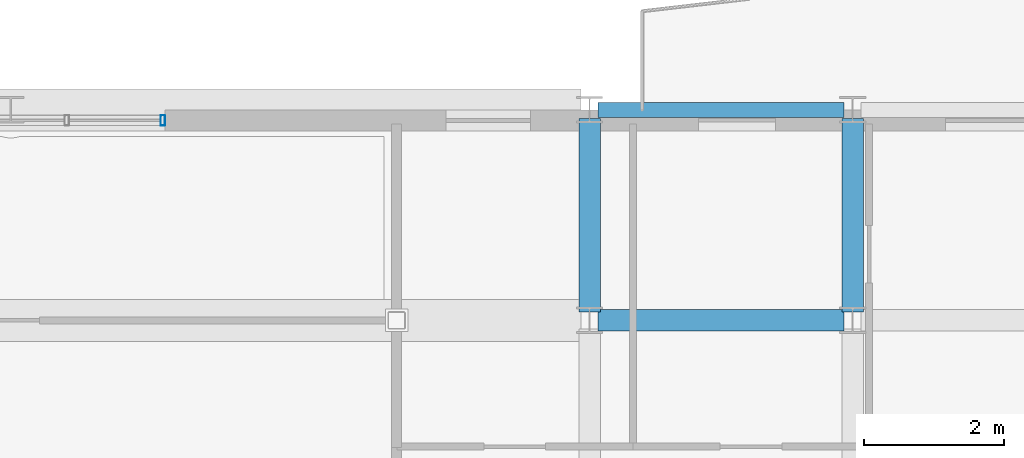
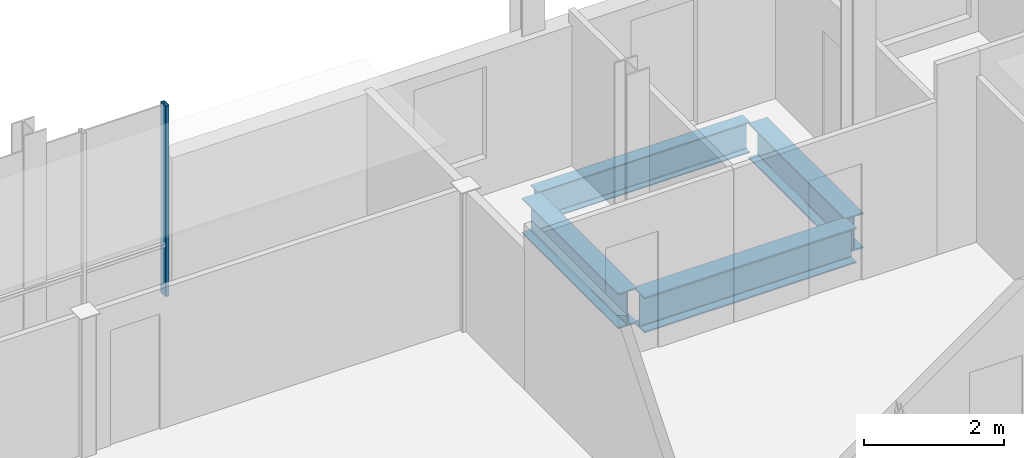
# One storey, part 16 of 35: 4 beams, 1 member, 1 element without a shape of its own.
"""IFC4 building model written with IfcOpenShell, lengths in metres."""

import ifcopenshell
import ifcopenshell.guid

model = None  # the IFC model being written
_history = None  # IfcOwnerHistory: only IFC2X3 demands one
_inside = {}  # id of a spatial element -> (the spatial element, [elements in it])
_under = {}  # id of a project, library or spatial element -> (it, [spatial elements below it])
_declared = {}  # id of a project -> (the project, [libraries it declares])
_typed = {}  # id of a type object -> (the type object, [elements of that type])
_made_of = {}  # id of a material, layer set ... -> (it, [elements and type objects made of it])


def new_model(schema):
    """Start an empty IFC model of exactly this schema.

    Asked for "IFC4X3", IfcOpenShell would pick the latest addendum, in which some entities
    have other attributes; the version numbers below select the first issue.
    IFC2X3 requires an IfcOwnerHistory on every rooted entity: one is made here for all.
    """
    global model, _history
    if schema == "IFC4X3":
        model = ifcopenshell.file(schema_version=(4, 3, 0, 0))
    else:
        model = ifcopenshell.file(schema=schema)
    _inside.clear()
    _under.clear()
    _declared.clear()
    _typed.clear()
    _made_of.clear()
    _history = None
    if model.schema == "IFC2X3":
        org = make("IfcOrganization", Name="unknown")
        user = make(
            "IfcPersonAndOrganization",
            ThePerson=make("IfcPerson", FamilyName="unknown"),
            TheOrganization=org,
        )
        app = make(
            "IfcApplication",
            ApplicationDeveloper=org,
            Version="unknown",
            ApplicationFullName="unknown",
            ApplicationIdentifier="unknown",
        )
        _history = make(
            "IfcOwnerHistory",
            OwningUser=user,
            OwningApplication=app,
            ChangeAction="ADDED",
            CreationDate=0,
        )
    return model


def make(cls, **values):
    """One entity of the class cls with the attributes given. An attribute that is None is left unset."""
    return model.create_entity(
        cls, **{name: value for name, value in values.items() if value is not None}
    )


def rooted(cls, **values):
    """An entity with a GlobalId (a new one), such as an element, a storey or a relation."""
    return make(cls, GlobalId=ifcopenshell.guid.new(), OwnerHistory=_history, **values)


def si_unit(unit_type, name, prefix=None):
    """IfcSIUnit, for example si_unit("LENGTHUNIT", "METRE", prefix="MILLI")."""
    return make("IfcSIUnit", UnitType=unit_type, Prefix=prefix, Name=name)


def assignment(units):
    """IfcUnitAssignment: the units of a project."""
    return None if units is None else make("IfcUnitAssignment", Units=units)


def point(xyz):
    """IfcCartesianPoint."""
    return None if xyz is None else make("IfcCartesianPoint", Coordinates=xyz)


def direction(xyz):
    """IfcDirection."""
    return None if xyz is None else make("IfcDirection", DirectionRatios=xyz)


def frame(location, z_axis=None, x_axis=None):
    """IfcAxis2Placement3D, a coordinate frame: its origin and axes. An axis left out is left unset."""
    return make(
        "IfcAxis2Placement3D",
        Location=point(location),
        Axis=direction(z_axis),
        RefDirection=direction(x_axis),
    )


def frame_2d(location, x_axis=None):
    """IfcAxis2Placement2D, a coordinate frame in the plane: its origin and x axis."""
    return make(
        "IfcAxis2Placement2D", Location=point(location), RefDirection=direction(x_axis)
    )


def origin():
    """The frame at (0, 0, 0) with its axes left unset."""
    return frame((0.0, 0.0, 0.0))


def origin_2d():
    """The frame at (0, 0) in the plane with its x axis left unset."""
    return frame_2d((0.0, 0.0))


def place(relative_to, where):
    """IfcLocalPlacement: puts the frame where relative to a parent placement (None: the world)."""
    return make(
        "IfcLocalPlacement", PlacementRelTo=relative_to, RelativePlacement=where
    )


def context(
    kind, dimensions, precision=None, world=None, true_north=None, identifier=None
):
    """IfcGeometricRepresentationContext, for example the 3D "Model" context."""
    return make(
        "IfcGeometricRepresentationContext",
        ContextIdentifier=identifier,
        ContextType=kind,
        CoordinateSpaceDimension=dimensions,
        Precision=precision,
        WorldCoordinateSystem=world,
        TrueNorth=true_north,
    )


def subcontext(parent, identifier, kind, view, scale=None):
    """IfcGeometricRepresentationSubContext, for example "Body" below "Model"."""
    return make(
        "IfcGeometricRepresentationSubContext",
        ContextIdentifier=identifier,
        ContextType=kind,
        ParentContext=parent,
        TargetScale=scale,
        TargetView=view,
    )


def project(units=None, contexts=None):
    """IfcProject with its units and contexts."""
    return rooted(
        "IfcProject",
        Name="project",
        RepresentationContexts=contexts,
        UnitsInContext=assignment(units),
    )


def spatial(cls, under=None, at=None, **own):
    """A site, building, storey or space (cls), placed at a placement, below another one or the project."""
    s = rooted(cls, ObjectPlacement=at, **own)
    if under is not None:
        _under.setdefault(under.id(), (under, []))[1].append(s)
    return s


def profile(cls, at=None, kind="AREA", **sizes):
    """A parametric profile (cls). Its sizes go by their IFC names, for example OverallWidth=200.0."""
    return make(cls, ProfileType=kind, Position=at, **sizes)


def hollow_rectangle(**sizes):
    """IfcRectangleHollowProfileDef."""
    return profile("IfcRectangleHollowProfileDef", **sizes)


def i_section(**sizes):
    """IfcIShapeProfileDef."""
    return profile("IfcIShapeProfileDef", **sizes)


def extrude(swept, where, along, depth):
    """IfcExtrudedAreaSolid: the profile swept, set in the frame where, extruded along a direction by depth."""
    return make(
        "IfcExtrudedAreaSolid",
        SweptArea=swept,
        Position=where,
        ExtrudedDirection=direction(along),
        Depth=depth,
    )


def shape(context_of_items, identifier, shape_type, items):
    """IfcShapeRepresentation: the items that make up one representation, for example the "Body"."""
    return make(
        "IfcShapeRepresentation",
        ContextOfItems=context_of_items,
        RepresentationIdentifier=identifier,
        RepresentationType=shape_type,
        Items=items,
    )


def material(Name=None, Category=None):
    """IfcMaterial."""
    return make("IfcMaterial", Name=Name, Category=Category)


def layer(
    of_material, thickness, ventilated=None, Name=None, Category=None, Priority=None
):
    """IfcMaterialLayer: one layer of a wall or slab, of a material (None: an air gap)."""
    return make(
        "IfcMaterialLayer",
        Material=of_material,
        LayerThickness=thickness,
        IsVentilated=ventilated,
        Name=Name,
        Category=Category,
        Priority=Priority,
    )


def layer_set(layers, Name=None):
    """IfcMaterialLayerSet."""
    return make("IfcMaterialLayerSet", MaterialLayers=layers, LayerSetName=Name)


def material_profile(
    of_material, cross_section, Name=None, Category=None, Priority=None
):
    """IfcMaterialProfile: a cross section and its material."""
    return make(
        "IfcMaterialProfile",
        Name=Name,
        Material=of_material,
        Profile=cross_section,
        Priority=Priority,
        Category=Category,
    )


def profile_set(profiles, Name=None, composite=None):
    """IfcMaterialProfileSet."""
    return make(
        "IfcMaterialProfileSet",
        Name=Name,
        MaterialProfiles=profiles,
        CompositeProfile=composite,
    )


def made_of(thing, what):
    """Note that an element or type object is made of a material, layer set ...; save() writes the relation."""
    if what is not None:
        _made_of.setdefault(what.id(), (what, []))[1].append(thing)
    return thing


def type_object(cls, material=None, **own):
    """A type object (cls), such as IfcWallType, which elements share."""
    return made_of(rooted(cls, **own), material)


def element(
    cls,
    number,
    at=None,
    inside=None,
    cuts=None,
    type_object=None,
    material=None,
    context=None,
    identifier="Body",
    shape_type=None,
    held_by="IfcProductDefinitionShape",
    body=None,
    shapes=None,
    **own,
):
    """One element of the class cls, such as IfcWall. Its Tag is "e" and its number.

    at: its placement. inside: the storey or other place that contains it. cuts: it is an
    opening in that element (IfcRelVoidsElement). A single representation is given by context,
    identifier, shape_type and body (its items); several are given by shapes. held_by: the class
    of the entity that holds the representations. save() writes the other relations.
    """
    e = rooted(cls, Tag="e%d" % number, ObjectPlacement=at, **own)
    if body is not None:
        shapes = [shape(context, identifier, shape_type, body)]
    if shapes is not None:
        e.Representation = make(held_by, Representations=shapes)
    if inside is not None:
        _inside.setdefault(inside.id(), (inside, []))[1].append(e)
    if cuts is not None:
        rooted(
            "IfcRelVoidsElement", RelatingBuildingElement=cuts, RelatedOpeningElement=e
        )
    if type_object is not None:
        _typed.setdefault(type_object.id(), (type_object, []))[1].append(e)
    return made_of(e, material)


def aggregate(whole, parts):
    """IfcRelAggregates: a whole, such as a stair, and the parts it consists of."""
    return rooted("IfcRelAggregates", RelatingObject=whole, RelatedObjects=parts)


def save(model, path):
    """Write the relations noted so far, then the file.

    IfcRelAggregates (storeys below a building ...), IfcRelContainedInSpatialStructure (elements
    in a storey), IfcRelDefinesByType, IfcRelAssociatesMaterial and IfcRelDeclares: one each for
    every whole, place, type object, material and project.
    """
    for whole, parts in _under.values():
        aggregate(whole, parts)
    for where, things in _inside.values():
        rooted(
            "IfcRelContainedInSpatialStructure",
            RelatedElements=things,
            RelatingStructure=where,
        )
    for kind, things in _typed.values():
        rooted("IfcRelDefinesByType", RelatedObjects=things, RelatingType=kind)
    for what, things in _made_of.values():
        rooted("IfcRelAssociatesMaterial", RelatedObjects=things, RelatingMaterial=what)
    for by, libraries in _declared.values():
        rooted("IfcRelDeclares", RelatingContext=by, RelatedDefinitions=libraries)
    model.write(path)


model = new_model("IFC4")

# Units and contexts
model_context = context("Model", 3, precision=1e-05, world=origin(), true_north=direction((0.0, 1.0)))
body_context = subcontext(model_context, "Body", "Model", "MODEL_VIEW")
ifc_project = project(units=[si_unit("LENGTHUNIT", "METRE"), si_unit("AREAUNIT", "SQUARE_METRE"), si_unit("VOLUMEUNIT", "CUBIC_METRE"), si_unit("PLANEANGLEUNIT", "RADIAN"), si_unit("MASSUNIT", "GRAM", prefix="KILO")], contexts=[model_context])

# Site, building, storey
site_placement = place(None, origin())
site = spatial("IfcSite", under=ifc_project, at=site_placement, CompositionType="ELEMENT")
building_placement = place(site_placement, origin())
building = spatial("IfcBuilding", under=site, at=building_placement, Name="Brevholm Reach", CompositionType="ELEMENT")
storey_placement = place(building_placement, frame((0.0, 0.0, 214.39990234375)))
storey = spatial("IfcBuildingStorey", under=building, at=storey_placement, Name="L65", CompositionType="ELEMENT", Elevation=214.39990234375)

# Beams
ifc_material_1 = material(Name="Structural Steel S355J2", Category="steel")
ifc_material_profile_1 = material_profile(ifc_material_1, i_section(OverallWidth=0.210693359375, OverallDepth=0.53955078125, WebThickness=0.01171875, FlangeThickness=0.018798828125, FilletRadius=0.0126953125, at=origin_2d()), Name="UKB 533x210x109")
ifc_profile_set_1 = profile_set([ifc_material_profile_1], Name="Structural Steel S355J2")
beam_type_1 = type_object("IfcBeamType", Name="BM-SP539", PredefinedType="SPANDREL", material=ifc_profile_set_1)
beam_1_placement = place(storey_placement, frame((38.3701171875, 26.5, -0.689697265625), z_axis=(1.0, 0.0, 0.0), x_axis=(0.0, 1.0, 0.0)))
element("IfcBeam", 1, at=beam_1_placement, inside=storey, type_object=beam_type_1, Name="L65 SP-01B Framing Beam", PredefinedType="SPANDREL", context=body_context, shape_type="SweptSolid", body=[
    extrude(i_section(OverallWidth=0.210693359375, OverallDepth=0.53955078125, WebThickness=0.01171875, FlangeThickness=0.018798828125, FilletRadius=0.0126953125, at=origin_2d()), origin(), (0.0, 0.0, 1.0), 3.509765625),
])
ifc_material_2 = material(Name="Structural Steel S355J2", Category="steel")
ifc_material_profile_2 = material_profile(ifc_material_2, i_section(OverallWidth=0.30712890625, OverallDepth=0.6201171875, WebThickness=0.01416015625, FlangeThickness=0.023681640625, FilletRadius=0.0166015625, at=origin_2d()), Name="UKB 610x305x179")
ifc_profile_set_2 = profile_set([ifc_material_profile_2], Name="Structural Steel S355J2")
beam_type_2 = type_object("IfcBeamType", Name="BM-UKB610H", PredefinedType="USERDEFINED", material=ifc_profile_set_2)
beam_2_placement = place(storey_placement, frame((38.3701171875, 23.5, -0.72998046875), z_axis=(1.0, 0.0, 0.0), x_axis=(0.0, 1.0, 0.0)))
element("IfcBeam", 2, at=beam_2_placement, inside=storey, type_object=beam_type_2, Name="L65 G-06 Framing Beam", ObjectType="GIRDER", PredefinedType="USERDEFINED", context=body_context, shape_type="SweptSolid", body=[
    extrude(i_section(OverallWidth=0.30712890625, OverallDepth=0.6201171875, WebThickness=0.01416015625, FlangeThickness=0.023681640625, FilletRadius=0.0166015625, at=origin_2d()), origin(), (0.0, 0.0, 1.0), 3.509765625),
])
for number, where, z_axis, x_axis, name in (
    (3, (38.25, 23.6201171875, -0.72998046875), (0.0, 1.0, 0.0), (-1.0, 0.0, 0.0), "L65 G-06 Framing Beam"),
    (4, (42.0, 23.6201171875, -0.72998046875), (0.0, 1.0, 0.0), (-1.0, 0.0, 0.0), "L65 G-06 Framing Beam"),
):
    element("IfcBeam", number, at=place(storey_placement, frame(where, z_axis=z_axis, x_axis=x_axis)), inside=storey, type_object=beam_type_2, Name=name, ObjectType="GIRDER", PredefinedType="USERDEFINED", context=body_context, shape_type="SweptSolid", body=[
        extrude(i_section(OverallWidth=0.30712890625, OverallDepth=0.6201171875, WebThickness=0.01416015625, FlangeThickness=0.023681640625, FilletRadius=0.0166015625, at=origin_2d()), origin(), (0.0, 0.0, 1.0), 2.759765625),
    ])

# Curtain wall, member
ifc_material_3 = material(Name="Dark Anodised Aluminium 6063-T6 and Solar-Control Glass", Category="aluminium")
ifc_layer = layer(ifc_material_3, 0.14990234375)
ifc_layer_set = layer_set([ifc_layer], Name="Dark Anodised Aluminium 6063-T6 and Solar-Control Glass")
curtain_wall_type = type_object("IfcCurtainWallType", Name="CW-01", PredefinedType="NOTDEFINED", material=ifc_layer_set)
curtain_wall_placement = place(storey_placement, origin())
curtain_wall = element("IfcCurtainWall", 5, at=curtain_wall_placement, inside=storey, type_object=curtain_wall_type, Name="L65 Curtain Wall CW-01", PredefinedType="NOTDEFINED")
ifc_material_4 = material(Name="Dark Anodised Aluminium 6063-T6", Category="aluminium")
ifc_material_profile_3 = material_profile(ifc_material_4, hollow_rectangle(XDim=0.06494140625, YDim=0.14990234375, WallThickness=0.0048828125, InnerFilletRadius=0.0048828125, OuterFilletRadius=0.010009765625, at=origin_2d()), Name="RHS 150x65x5")
ifc_profile_set_3 = profile_set([ifc_material_profile_3], Name="Dark Anodised Aluminium 6063-T6")
member_type = type_object("IfcMemberType", Name="CWM-150", PredefinedType="MULLION", material=ifc_profile_set_3)
member_placement = place(storey_placement, frame((32.16748046875, 26.35009765625, 0.0), z_axis=(0.0, 0.0, 1.0), x_axis=(1.0, 0.0, 0.0)))
member = element("IfcMember", 6, at=member_placement, type_object=member_type, Name="CM-150 Mullion 3", PredefinedType="MULLION", context=body_context, shape_type="SweptSolid", body=[
    extrude(hollow_rectangle(XDim=0.06494140625, YDim=0.14990234375, WallThickness=0.0048828125, InnerFilletRadius=0.0048828125, OuterFilletRadius=0.010009765625, at=origin_2d()), origin(), (0.0, 0.0, 1.0), 3.330078125),
])
aggregate(curtain_wall, [member])

save(model, "model.ifc")
